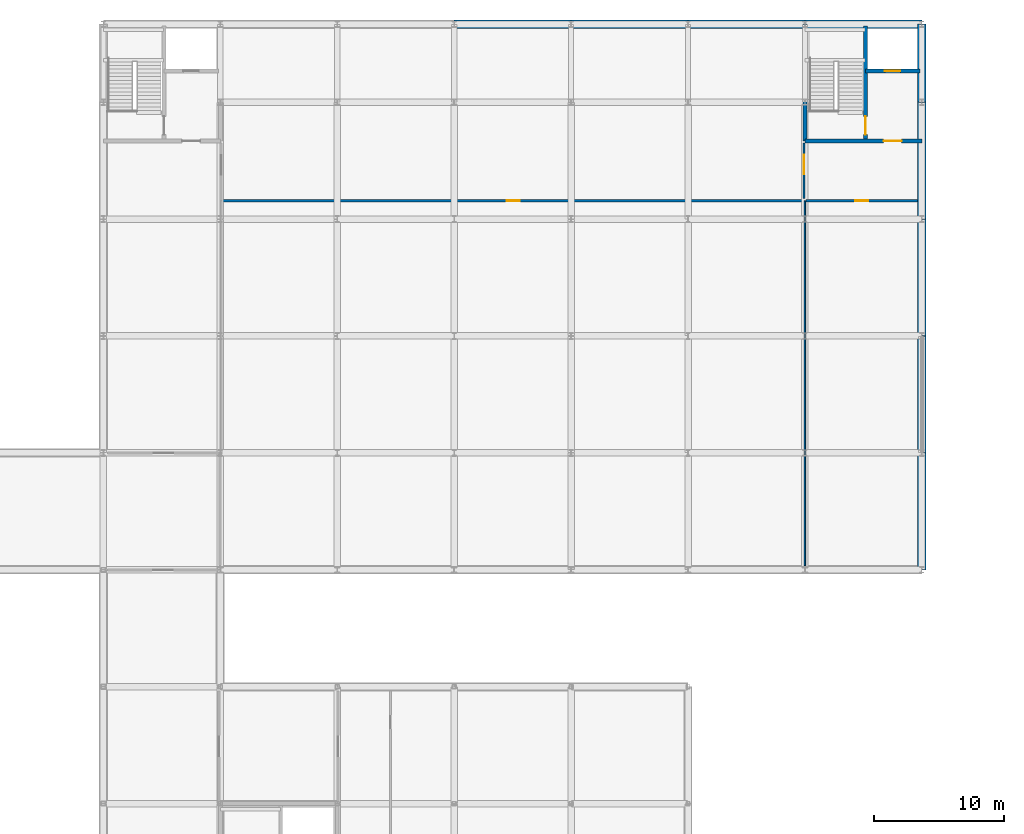
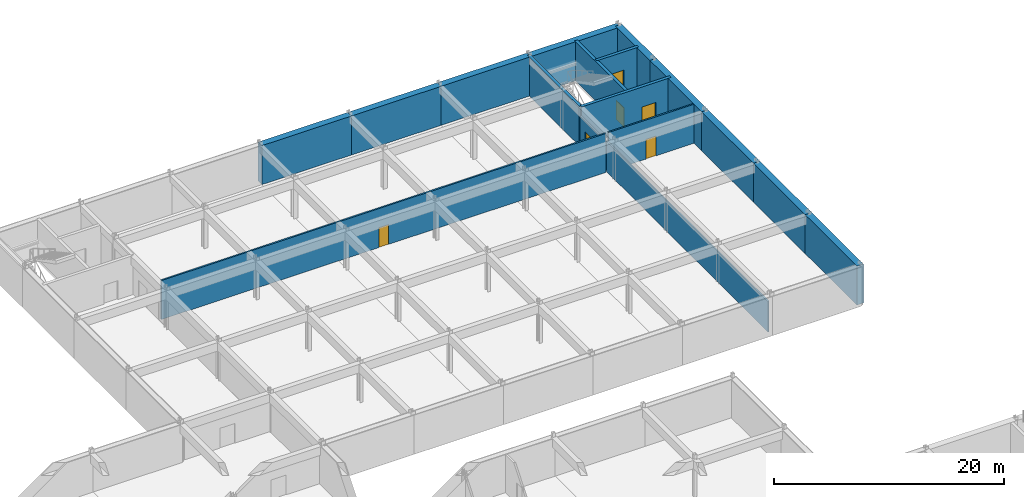
# One storey, part 26 of 35: 17 walls, 6 doors, 6 openings.
"""IFC4 building model written with IfcOpenShell, lengths in metres."""

import ifcopenshell
import ifcopenshell.guid

model = None  # the IFC model being written
_history = None  # IfcOwnerHistory: only IFC2X3 demands one
_inside = {}  # id of a spatial element -> (the spatial element, [elements in it])
_under = {}  # id of a project, library or spatial element -> (it, [spatial elements below it])
_declared = {}  # id of a project -> (the project, [libraries it declares])
_typed = {}  # id of a type object -> (the type object, [elements of that type])
_made_of = {}  # id of a material, layer set ... -> (it, [elements and type objects made of it])


def new_model(schema):
    """Start an empty IFC model of exactly this schema.

    Asked for "IFC4X3", IfcOpenShell would pick the latest addendum, in which some entities
    have other attributes; the version numbers below select the first issue.
    IFC2X3 requires an IfcOwnerHistory on every rooted entity: one is made here for all.
    """
    global model, _history
    if schema == "IFC4X3":
        model = ifcopenshell.file(schema_version=(4, 3, 0, 0))
    else:
        model = ifcopenshell.file(schema=schema)
    _inside.clear()
    _under.clear()
    _declared.clear()
    _typed.clear()
    _made_of.clear()
    _history = None
    if model.schema == "IFC2X3":
        org = make("IfcOrganization", Name="unknown")
        user = make(
            "IfcPersonAndOrganization",
            ThePerson=make("IfcPerson", FamilyName="unknown"),
            TheOrganization=org,
        )
        app = make(
            "IfcApplication",
            ApplicationDeveloper=org,
            Version="unknown",
            ApplicationFullName="unknown",
            ApplicationIdentifier="unknown",
        )
        _history = make(
            "IfcOwnerHistory",
            OwningUser=user,
            OwningApplication=app,
            ChangeAction="ADDED",
            CreationDate=0,
        )
    return model


def make(cls, **values):
    """One entity of the class cls with the attributes given. An attribute that is None is left unset."""
    return model.create_entity(
        cls, **{name: value for name, value in values.items() if value is not None}
    )


def rooted(cls, **values):
    """An entity with a GlobalId (a new one), such as an element, a storey or a relation."""
    return make(cls, GlobalId=ifcopenshell.guid.new(), OwnerHistory=_history, **values)


def si_unit(unit_type, name, prefix=None):
    """IfcSIUnit, for example si_unit("LENGTHUNIT", "METRE", prefix="MILLI")."""
    return make("IfcSIUnit", UnitType=unit_type, Prefix=prefix, Name=name)


def assignment(units):
    """IfcUnitAssignment: the units of a project."""
    return None if units is None else make("IfcUnitAssignment", Units=units)


def point(xyz):
    """IfcCartesianPoint."""
    return None if xyz is None else make("IfcCartesianPoint", Coordinates=xyz)


def direction(xyz):
    """IfcDirection."""
    return None if xyz is None else make("IfcDirection", DirectionRatios=xyz)


def frame(location, z_axis=None, x_axis=None):
    """IfcAxis2Placement3D, a coordinate frame: its origin and axes. An axis left out is left unset."""
    return make(
        "IfcAxis2Placement3D",
        Location=point(location),
        Axis=direction(z_axis),
        RefDirection=direction(x_axis),
    )


def frame_2d(location, x_axis=None):
    """IfcAxis2Placement2D, a coordinate frame in the plane: its origin and x axis."""
    return make(
        "IfcAxis2Placement2D", Location=point(location), RefDirection=direction(x_axis)
    )


def origin():
    """The frame at (0, 0, 0) with its axes left unset."""
    return frame((0.0, 0.0, 0.0))


def place(relative_to, where):
    """IfcLocalPlacement: puts the frame where relative to a parent placement (None: the world)."""
    return make(
        "IfcLocalPlacement", PlacementRelTo=relative_to, RelativePlacement=where
    )


def context(
    kind, dimensions, precision=None, world=None, true_north=None, identifier=None
):
    """IfcGeometricRepresentationContext, for example the 3D "Model" context."""
    return make(
        "IfcGeometricRepresentationContext",
        ContextIdentifier=identifier,
        ContextType=kind,
        CoordinateSpaceDimension=dimensions,
        Precision=precision,
        WorldCoordinateSystem=world,
        TrueNorth=true_north,
    )


def subcontext(parent, identifier, kind, view, scale=None):
    """IfcGeometricRepresentationSubContext, for example "Body" below "Model"."""
    return make(
        "IfcGeometricRepresentationSubContext",
        ContextIdentifier=identifier,
        ContextType=kind,
        ParentContext=parent,
        TargetScale=scale,
        TargetView=view,
    )


def project(units=None, contexts=None):
    """IfcProject with its units and contexts."""
    return rooted(
        "IfcProject",
        Name="project",
        RepresentationContexts=contexts,
        UnitsInContext=assignment(units),
    )


def spatial(cls, under=None, at=None, **own):
    """A site, building, storey or space (cls), placed at a placement, below another one or the project."""
    s = rooted(cls, ObjectPlacement=at, **own)
    if under is not None:
        _under.setdefault(under.id(), (under, []))[1].append(s)
    return s


def profile(cls, at=None, kind="AREA", **sizes):
    """A parametric profile (cls). Its sizes go by their IFC names, for example OverallWidth=200.0."""
    return make(cls, ProfileType=kind, Position=at, **sizes)


def rectangle(**sizes):
    """IfcRectangleProfileDef."""
    return profile("IfcRectangleProfileDef", **sizes)


def extrude(swept, where, along, depth):
    """IfcExtrudedAreaSolid: the profile swept, set in the frame where, extruded along a direction by depth."""
    return make(
        "IfcExtrudedAreaSolid",
        SweptArea=swept,
        Position=where,
        ExtrudedDirection=direction(along),
        Depth=depth,
    )


def shape(context_of_items, identifier, shape_type, items):
    """IfcShapeRepresentation: the items that make up one representation, for example the "Body"."""
    return make(
        "IfcShapeRepresentation",
        ContextOfItems=context_of_items,
        RepresentationIdentifier=identifier,
        RepresentationType=shape_type,
        Items=items,
    )


def material(Name=None, Category=None):
    """IfcMaterial."""
    return make("IfcMaterial", Name=Name, Category=Category)


def layer(
    of_material, thickness, ventilated=None, Name=None, Category=None, Priority=None
):
    """IfcMaterialLayer: one layer of a wall or slab, of a material (None: an air gap)."""
    return make(
        "IfcMaterialLayer",
        Material=of_material,
        LayerThickness=thickness,
        IsVentilated=ventilated,
        Name=Name,
        Category=Category,
        Priority=Priority,
    )


def layer_set(layers, Name=None):
    """IfcMaterialLayerSet."""
    return make("IfcMaterialLayerSet", MaterialLayers=layers, LayerSetName=Name)


def made_of(thing, what):
    """Note that an element or type object is made of a material, layer set ...; save() writes the relation."""
    if what is not None:
        _made_of.setdefault(what.id(), (what, []))[1].append(thing)
    return thing


def type_object(cls, material=None, **own):
    """A type object (cls), such as IfcWallType, which elements share."""
    return made_of(rooted(cls, **own), material)


def element(
    cls,
    number,
    at=None,
    inside=None,
    cuts=None,
    type_object=None,
    material=None,
    context=None,
    identifier="Body",
    shape_type=None,
    held_by="IfcProductDefinitionShape",
    body=None,
    shapes=None,
    **own,
):
    """One element of the class cls, such as IfcWall. Its Tag is "e" and its number.

    at: its placement. inside: the storey or other place that contains it. cuts: it is an
    opening in that element (IfcRelVoidsElement). A single representation is given by context,
    identifier, shape_type and body (its items); several are given by shapes. held_by: the class
    of the entity that holds the representations. save() writes the other relations.
    """
    e = rooted(cls, Tag="e%d" % number, ObjectPlacement=at, **own)
    if body is not None:
        shapes = [shape(context, identifier, shape_type, body)]
    if shapes is not None:
        e.Representation = make(held_by, Representations=shapes)
    if inside is not None:
        _inside.setdefault(inside.id(), (inside, []))[1].append(e)
    if cuts is not None:
        rooted(
            "IfcRelVoidsElement", RelatingBuildingElement=cuts, RelatedOpeningElement=e
        )
    if type_object is not None:
        _typed.setdefault(type_object.id(), (type_object, []))[1].append(e)
    return made_of(e, material)


def fill(opening, filler):
    """IfcRelFillsElement: the door or window that sits in an opening."""
    return rooted(
        "IfcRelFillsElement",
        RelatingOpeningElement=opening,
        RelatedBuildingElement=filler,
    )


def aggregate(whole, parts):
    """IfcRelAggregates: a whole, such as a stair, and the parts it consists of."""
    return rooted("IfcRelAggregates", RelatingObject=whole, RelatedObjects=parts)


def save(model, path):
    """Write the relations noted so far, then the file.

    IfcRelAggregates (storeys below a building ...), IfcRelContainedInSpatialStructure (elements
    in a storey), IfcRelDefinesByType, IfcRelAssociatesMaterial and IfcRelDeclares: one each for
    every whole, place, type object, material and project.
    """
    for whole, parts in _under.values():
        aggregate(whole, parts)
    for where, things in _inside.values():
        rooted(
            "IfcRelContainedInSpatialStructure",
            RelatedElements=things,
            RelatingStructure=where,
        )
    for kind, things in _typed.values():
        rooted("IfcRelDefinesByType", RelatedObjects=things, RelatingType=kind)
    for what, things in _made_of.values():
        rooted("IfcRelAssociatesMaterial", RelatedObjects=things, RelatingMaterial=what)
    for by, libraries in _declared.values():
        rooted("IfcRelDeclares", RelatingContext=by, RelatedDefinitions=libraries)
    model.write(path)


model = new_model("IFC4")

# Units and contexts
model_context = context("Model", 3, precision=1e-05, world=origin(), true_north=direction((0.0, 1.0)))
body_context = subcontext(model_context, "Body", "Model", "MODEL_VIEW")
ifc_project = project(units=[si_unit("LENGTHUNIT", "METRE"), si_unit("AREAUNIT", "SQUARE_METRE"), si_unit("VOLUMEUNIT", "CUBIC_METRE"), si_unit("PLANEANGLEUNIT", "RADIAN"), si_unit("MASSUNIT", "GRAM", prefix="KILO")], contexts=[model_context])

# Site, building, storey
site_placement = place(None, origin())
site = spatial("IfcSite", under=ifc_project, at=site_placement, CompositionType="ELEMENT")
building_placement = place(site_placement, origin())
building = spatial("IfcBuilding", under=site, at=building_placement, Name="Palais des Congres Ocreval", CompositionType="ELEMENT")
storey_placement = place(building_placement, frame((0.0, 0.0, -4.47998046875)))
storey = spatial("IfcBuildingStorey", under=building, at=storey_placement, Name="B1", CompositionType="ELEMENT", Elevation=-4.47998046875)

# Wall, opening, door
ifc_material_1 = material(Name="Concrete C40/50", Category="concrete")
ifc_layer_1 = layer(ifc_material_1, 0.300048828125)
ifc_layer_set_1 = layer_set([ifc_layer_1], Name="Core Shear Wall 300 Concrete C40/50")
wall_type_1 = type_object("IfcWallType", Name="Core Shear Wall 300 Concrete C40/50", PredefinedType="SHEAR", material=ifc_layer_set_1)
wall_1_placement = place(storey_placement, frame((153.0, 105.0, 0.0), z_axis=(0.0, 0.0, 1.0), x_axis=(1.0, 0.0, 0.0)))
wall_1 = element("IfcWall", 1, at=wall_1_placement, inside=storey, type_object=wall_type_1, Name="Core Shear Wall SC08 B1 S", PredefinedType="SHEAR", context=body_context, shape_type="SweptSolid", body=[
    extrude(rectangle(XDim=9.0, YDim=0.300048828125, at=frame_2d((4.5, 0.0))), origin(), (0.0, 0.0, 1.0), 4.139892578125),
])
opening_1_placement = place(wall_1_placement, frame((6.050048828125, 0.0, 0.0)))
opening_1 = element("IfcOpeningElement", 2, at=opening_1_placement, cuts=wall_1, Name="Opening D03", PredefinedType="OPENING", context=body_context, shape_type="SweptSolid", body=[
    extrude(rectangle(XDim=1.39990234375, YDim=2.02001953125, at=frame_2d((0.699951171875, 1.010009765625))), frame((0.0, 0.159912109375, 0.0), z_axis=(0.0, -1.0, 0.0), x_axis=(1.0, 0.0, 0.0)), (0.0, 0.0, 1.0), 0.320068359375),
])
ifc_material_2 = material(Name="Painted fire-rated steel", Category="steel")
door_type_1 = type_object("IfcDoorType", Name="Core Lobby Rated Door 1400x2020", OperationType="NOTDEFINED", PredefinedType="DOOR", material=ifc_material_2)
door_1_placement = place(opening_1_placement, origin())
door_1 = element("IfcDoor", 3, at=door_1_placement, inside=storey, type_object=door_type_1, Name="Lobby Entrance Door SC08 B1", OperationType="DOUBLE_DOOR_SINGLE_SWING", OverallHeight=2.02001953125, OverallWidth=1.39990234375, PredefinedType="DOOR", context=body_context, shape_type="SweptSolid", body=[
    extrude(rectangle(XDim=1.39990234375, YDim=2.02001953125, at=frame_2d((0.699951171875, 1.010009765625))), frame((0.0, 0.02490234375, 0.0), z_axis=(0.0, -1.0, 0.0), x_axis=(1.0, 0.0, 0.0)), (0.0, 0.0, 1.0), 0.050048828125),
])
fill(opening_1, door_1)

# Wall
wall_2_placement = place(storey_placement, frame((153.0, 105.0, 0.0), z_axis=(0.0, 0.0, 1.0), x_axis=(0.0, 1.0, 0.0)))
element("IfcWall", 4, at=wall_2_placement, inside=storey, type_object=wall_type_1, Name="Core Shear Wall SC08 B1 W", PredefinedType="SHEAR", context=body_context, shape_type="SweptSolid", body=[
    extrude(rectangle(XDim=9.0, YDim=0.300048828125, at=frame_2d((4.5, 0.0))), origin(), (0.0, 0.0, 1.0), 4.139892578125),
])

# Wall, opening, door
wall_3_placement = place(storey_placement, frame((157.64990234375, 105.14990234375, 0.0), z_axis=(0.0, 0.0, 1.0), x_axis=(0.0, 1.0, 0.0)))
wall_3 = element("IfcWall", 5, at=wall_3_placement, inside=storey, type_object=wall_type_1, Name="Core Spine Shear Wall SC08 B1", PredefinedType="SHEAR", context=body_context, shape_type="SweptSolid", body=[
    extrude(rectangle(XDim=8.7001953125, YDim=0.300048828125, at=frame_2d((4.35009765625, 0.0))), origin(), (0.0, 0.0, 1.0), 4.139892578125),
])
opening_2_placement = place(wall_3_placement, frame((0.35009765625, 0.0, 0.0)))
opening_2 = element("IfcOpeningElement", 6, at=opening_2_placement, cuts=wall_3, Name="Opening D03", PredefinedType="OPENING", context=body_context, shape_type="SweptSolid", body=[
    extrude(rectangle(XDim=1.39990234375, YDim=2.02001953125, at=frame_2d((0.699951171875, 1.010009765625))), frame((0.0, 0.159912109375, 0.0), z_axis=(0.0, -1.0, 0.0), x_axis=(1.0, 0.0, 0.0)), (0.0, 0.0, 1.0), 0.320068359375),
])
door_2_placement = place(opening_2_placement, origin())
door_2 = element("IfcDoor", 7, at=door_2_placement, inside=storey, type_object=door_type_1, Name="Protected Exit Stair Door ST08 B1", OperationType="SINGLE_SWING_RIGHT", OverallHeight=2.02001953125, OverallWidth=1.39990234375, PredefinedType="DOOR", context=body_context, shape_type="SweptSolid", body=[
    extrude(rectangle(XDim=1.39990234375, YDim=2.02001953125, at=frame_2d((0.699951171875, 1.010009765625))), frame((0.0, 0.02490234375, 0.0), z_axis=(0.0, -1.0, 0.0), x_axis=(1.0, 0.0, 0.0)), (0.0, 0.0, 1.0), 0.050048828125),
])
fill(opening_2, door_2)

wall_4_placement = place(storey_placement, frame((157.64990234375, 110.39990234375, 0.0), z_axis=(0.0, 0.0, 1.0), x_axis=(1.0, 0.0, 0.0)))
wall_4 = element("IfcWall", 8, at=wall_4_placement, inside=storey, type_object=wall_type_1, Name="Lift Shaft Front Wall SC08 B1", PredefinedType="SHEAR", context=body_context, shape_type="SweptSolid", body=[
    extrude(rectangle(XDim=4.2001953125, YDim=0.300048828125, at=frame_2d((2.10009765625, 0.0))), origin(), (0.0, 0.0, 1.0), 4.139892578125),
])
opening_3_placement = place(wall_4_placement, frame((1.5, 0.0, 0.0)))
opening_3 = element("IfcOpeningElement", 9, at=opening_3_placement, cuts=wall_4, Name="Opening LD02", PredefinedType="OPENING", context=body_context, shape_type="SweptSolid", body=[
    extrude(rectangle(XDim=1.199951171875, YDim=2.199951171875, at=frame_2d((0.60009765625, 1.10009765625))), frame((0.0, 0.159912109375, 0.0), z_axis=(0.0, -1.0, 0.0), x_axis=(1.0, 0.0, 0.0)), (0.0, 0.0, 1.0), 0.320068359375),
])
ifc_material_3 = material(Name="Anodized bronze steel", Category="steel")
door_type_2 = type_object("IfcDoorType", Name="Passenger and Service Lift Sliding Door 1200x2200", OperationType="NOTDEFINED", PredefinedType="DOOR", material=ifc_material_3)
door_3_placement = place(opening_3_placement, origin())
door_3 = element("IfcDoor", 10, at=door_3_placement, inside=storey, type_object=door_type_2, Name="Lift Landing Sliding Door BL3 B1", OperationType="DOUBLE_DOOR_SLIDING", OverallHeight=2.199951171875, OverallWidth=1.199951171875, PredefinedType="DOOR", context=body_context, shape_type="SweptSolid", body=[
    extrude(rectangle(XDim=1.199951171875, YDim=2.199951171875, at=frame_2d((0.60009765625, 1.10009765625))), frame((0.0, 0.02490234375, 0.0), z_axis=(0.0, -1.0, 0.0), x_axis=(1.0, 0.0, 0.0)), (0.0, 0.0, 1.0), 0.050048828125),
])
fill(opening_3, door_3)

ifc_material_4 = material(Name="Gypsum acoustic partition")
ifc_layer_2 = layer(ifc_material_4, 0.159912109375)
ifc_layer_set_2 = layer_set([ifc_layer_2], Name="Corridor Fire Partition 160 Gypsum (Gypsum acoustic partition)")
wall_type_2 = type_object("IfcWallType", Name="Corridor Fire Partition 160 Gypsum", PredefinedType="PARTITIONING", material=ifc_layer_set_2)
wall_5_placement = place(storey_placement, frame((108.219970703125, 100.409912109375, 0.0), z_axis=(0.0, 0.0, 1.0), x_axis=(1.0, 0.0, 0.0)))
wall_5 = element("IfcWall", 11, at=wall_5_placement, inside=storey, type_object=wall_type_2, Name="Interior Partition IW03 B1", PredefinedType="PARTITIONING", context=body_context, shape_type="SweptSolid", body=[
    extrude(rectangle(XDim=44.625, YDim=0.159912109375, at=frame_2d((22.3125, 0.0))), origin(), (0.0, 0.0, 1.0), 4.139892578125),
])
opening_4_placement = place(wall_5_placement, frame((21.8125, 0.0, 0.0)))
opening_4 = element("IfcOpeningElement", 12, at=opening_4_placement, cuts=wall_5, Name="Opening D10", PredefinedType="OPENING", context=body_context, shape_type="SweptSolid", body=[
    extrude(rectangle(XDim=1.0, YDim=2.10009765625, at=frame_2d((0.5, 1.050048828125))), frame((0.0, 0.08984375, 0.0), z_axis=(0.0, -1.0, 0.0), x_axis=(1.0, 0.0, 0.0)), (0.0, 0.0, 1.0), 0.179931640625),
])
ifc_material_5 = material(Name="Painted steel", Category="steel")
door_type_3 = type_object("IfcDoorType", Name="Service and Pantry Door 1000x2100", OperationType="NOTDEFINED", PredefinedType="DOOR", material=ifc_material_5)
door_4_placement = place(opening_4_placement, origin())
door_4 = element("IfcDoor", 13, at=door_4_placement, inside=storey, type_object=door_type_3, Name="Interior Door D10 B1", OperationType="SINGLE_SWING_RIGHT", OverallHeight=2.10009765625, OverallWidth=1.0, PredefinedType="DOOR", context=body_context, shape_type="SweptSolid", body=[
    extrude(rectangle(XDim=1.0, YDim=2.10009765625, at=frame_2d((0.5, 1.050048828125))), frame((0.0, 0.02490234375, 0.0), z_axis=(0.0, -1.0, 0.0), x_axis=(1.0, 0.0, 0.0)), (0.0, 0.0, 1.0), 0.050048828125),
])
fill(opening_4, door_4)

wall_6_placement = place(storey_placement, frame((152.93505859375, 100.56494140625, 0.0), z_axis=(0.0, 0.0, 1.0), x_axis=(0.0, 1.0, 0.0)))
wall_6 = element("IfcWall", 14, at=wall_6_placement, inside=storey, type_object=wall_type_2, Name="Interior Partition IW03 B1", PredefinedType="PARTITIONING", context=body_context, shape_type="SweptSolid", body=[
    extrude(rectangle(XDim=4.280029296875, YDim=0.159912109375, at=frame_2d((2.14013671875, 0.0))), origin(), (0.0, 0.0, 1.0), 3.239990234375),
])
opening_5_placement = place(wall_6_placement, frame((1.903564453125, 0.0, 0.0)))
opening_5 = element("IfcOpeningElement", 15, at=opening_5_placement, cuts=wall_6, Name="Opening D04", PredefinedType="OPENING", context=body_context, shape_type="SweptSolid", body=[
    extrude(rectangle(XDim=1.5, YDim=2.10009765625, at=frame_2d((0.75, 1.050048828125))), frame((0.0, 0.08984375, 0.0), z_axis=(0.0, -1.0, 0.0), x_axis=(1.0, 0.0, 0.0)), (0.0, 0.0, 1.0), 0.179931640625),
])
ifc_material_6 = material(Name="Solid French oak fire door", Category="wood")
door_type_4 = type_object("IfcDoorType", Name="Corridor Compartment Double Door 1500x2100", OperationType="NOTDEFINED", PredefinedType="DOOR", material=ifc_material_6)
door_5_placement = place(opening_5_placement, origin())
door_5 = element("IfcDoor", 16, at=door_5_placement, inside=storey, type_object=door_type_4, Name="Interior Door D04 B1", OperationType="DOUBLE_DOOR_SINGLE_SWING", OverallHeight=2.10009765625, OverallWidth=1.5, PredefinedType="DOOR", context=body_context, shape_type="SweptSolid", body=[
    extrude(rectangle(XDim=1.5, YDim=2.10009765625, at=frame_2d((0.75, 1.050048828125))), frame((0.0, 0.02490234375, 0.0), z_axis=(0.0, -1.0, 0.0), x_axis=(1.0, 0.0, 0.0)), (0.0, 0.0, 1.0), 0.050048828125),
])
fill(opening_5, door_5)

wall_7_placement = place(storey_placement, frame((153.090087890625, 100.409912109375, 0.0), z_axis=(0.0, 0.0, 1.0), x_axis=(1.0, 0.0, 0.0)))
wall_7 = element("IfcWall", 17, at=wall_7_placement, inside=storey, type_object=wall_type_2, Name="Interior Partition IW03 B1", PredefinedType="PARTITIONING", context=body_context, shape_type="SweptSolid", body=[
    extrude(rectangle(XDim=8.579833984375, YDim=0.159912109375, at=frame_2d((4.2900390625, 0.0))), origin(), (0.0, 0.0, 1.0), 4.139892578125),
])
opening_6_placement = place(wall_7_placement, frame((3.7900390625, 0.0, 0.0)))
opening_6 = element("IfcOpeningElement", 18, at=opening_6_placement, cuts=wall_7, Name="Opening D10", PredefinedType="OPENING", context=body_context, shape_type="SweptSolid", body=[
    extrude(rectangle(XDim=1.0, YDim=2.10009765625, at=frame_2d((0.5, 1.050048828125))), frame((0.0, 0.08984375, 0.0), z_axis=(0.0, -1.0, 0.0), x_axis=(1.0, 0.0, 0.0)), (0.0, 0.0, 1.0), 0.179931640625),
])
door_6_placement = place(opening_6_placement, origin())
door_6 = element("IfcDoor", 19, at=door_6_placement, inside=storey, type_object=door_type_3, Name="Interior Door D10 B1", OperationType="SINGLE_SWING_LEFT", OverallHeight=2.10009765625, OverallWidth=1.0, PredefinedType="DOOR", context=body_context, shape_type="SweptSolid", body=[
    extrude(rectangle(XDim=1.0, YDim=2.10009765625, at=frame_2d((0.5, 1.050048828125))), frame((0.0, 0.02490234375, 0.0), z_axis=(0.0, -1.0, 0.0), x_axis=(1.0, 0.0, 0.0)), (0.0, 0.0, 1.0), 0.050048828125),
])
fill(opening_6, door_6)

# Walls
ifc_material_7 = material(Name="Gypsum board partition")
ifc_layer_3 = layer(ifc_material_7, 0.1201171875)
ifc_layer_set_3 = layer_set([ifc_layer_3], Name="Suite Subdivision Partition 120 Gypsum (Gypsum board partition)")
wall_type_3 = type_object("IfcWallType", Name="Suite Subdivision Partition 120 Gypsum", PredefinedType="PARTITIONING", material=ifc_layer_set_3)
wall_8_placement = place(storey_placement, frame((153.0, 72.330078125, 0.0), z_axis=(0.0, 0.0, 1.0), x_axis=(0.0, 1.0, 0.0)))
element("IfcWall", 20, at=wall_8_placement, inside=storey, type_object=wall_type_3, Name="Interior Partition IW04 B1", PredefinedType="PARTITIONING", context=body_context, shape_type="SweptSolid", body=[
    extrude(rectangle(XDim=28.06982421875, YDim=0.1201171875, at=frame_2d((14.034912109375, 0.0))), origin(), (0.0, 0.0, 1.0), 3.239990234375),
])
ifc_material_8 = material(Name="Concrete C35/45", Category="concrete")
ifc_layer_4 = layer(ifc_material_8, 0.64990234375)
ifc_layer_set_4 = layer_set([ifc_layer_4], Name="Upper Retaining Wall 650 Concrete C35/45")
wall_type_4 = type_object("IfcWallType", Name="Upper Retaining Wall 650 Concrete C35/45", PredefinedType="USERDEFINED", material=ifc_layer_set_4)
for number, where, z_axis, x_axis, name in (
    (21, (126.0, 114.0, 0.0), (0.0, 0.0, 1.0), (1.0, 0.0, 0.0), "Basement Diaphragm Wall RW02 B1"),
    (22, (135.0, 114.0, 0.0), (0.0, 0.0, 1.0), (1.0, 0.0, 0.0), "Basement Diaphragm Wall RW02 B1"),
    (23, (144.0, 114.0, 0.0), (0.0, 0.0, 1.0), (1.0, 0.0, 0.0), "Basement Diaphragm Wall RW02 B1"),
    (24, (153.0, 114.0, 0.0), (0.0, 0.0, 1.0), (1.0, 0.0, 0.0), "Basement Diaphragm Wall RW02 B1"),
):
    element("IfcWall", number, at=place(storey_placement, frame(where, z_axis=z_axis, x_axis=x_axis)), inside=storey, type_object=wall_type_4, Name=name, ObjectType="RETAININGWALL", PredefinedType="USERDEFINED", context=body_context, shape_type="SweptSolid", body=[
        extrude(rectangle(XDim=9.0, YDim=0.64990234375, at=frame_2d((4.5, 0.0))), origin(), (0.0, 0.0, 1.0), 4.139892578125),
    ])
wall_9_placement = place(storey_placement, frame((162.0, 114.0, 0.0), z_axis=(0.0, 0.0, 1.0), x_axis=(0.0, -1.0, 0.0)))
element("IfcWall", 25, at=wall_9_placement, inside=storey, type_object=wall_type_4, Name="Basement Diaphragm Wall RW02 B1", ObjectType="RETAININGWALL", PredefinedType="USERDEFINED", context=body_context, shape_type="SweptSolid", body=[
    extrude(rectangle(XDim=6.0, YDim=0.64990234375, at=frame_2d((3.0, 0.0))), origin(), (0.0, 0.0, 1.0), 4.139892578125),
])
for number, where, z_axis, x_axis, name in (
    (26, (162.0, 108.0, 0.0), (0.0, 0.0, 1.0), (0.0, -1.0, 0.0), "Basement Diaphragm Wall RW02 B1"),
    (27, (162.0, 99.0, 0.0), (0.0, 0.0, 1.0), (0.0, -1.0, 0.0), "Basement Diaphragm Wall RW02 B1"),
    (28, (162.0, 90.0, 0.0), (0.0, 0.0, 1.0), (0.0, -1.0, 0.0), "Basement Diaphragm Wall RW02 B1"),
    (29, (162.0, 81.0, 0.0), (0.0, 0.0, 1.0), (0.0, -1.0, 0.0), "Basement Diaphragm Wall RW02 B1"),
):
    element("IfcWall", number, at=place(storey_placement, frame(where, z_axis=z_axis, x_axis=x_axis)), inside=storey, type_object=wall_type_4, Name=name, ObjectType="RETAININGWALL", PredefinedType="USERDEFINED", context=body_context, shape_type="SweptSolid", body=[
        extrude(rectangle(XDim=9.0, YDim=0.64990234375, at=frame_2d((4.5, 0.0))), origin(), (0.0, 0.0, 1.0), 4.139892578125),
    ])

save(model, "model.ifc")
